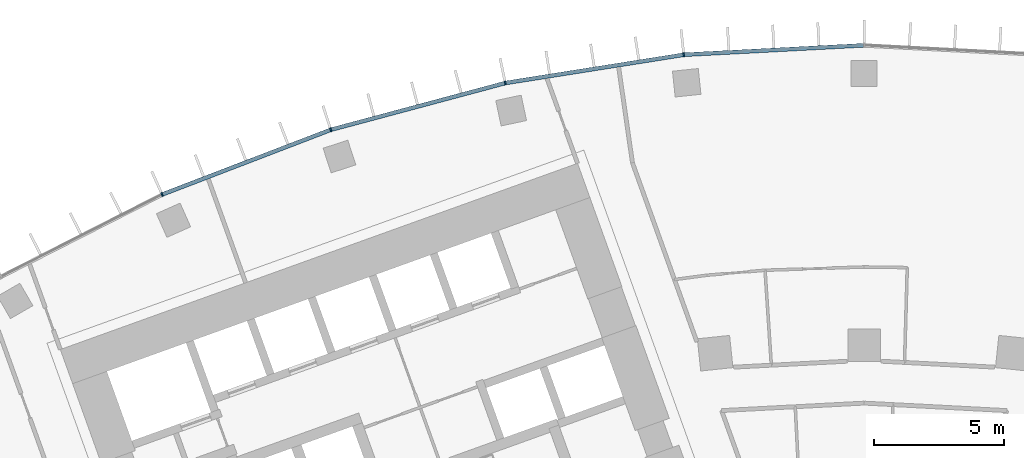
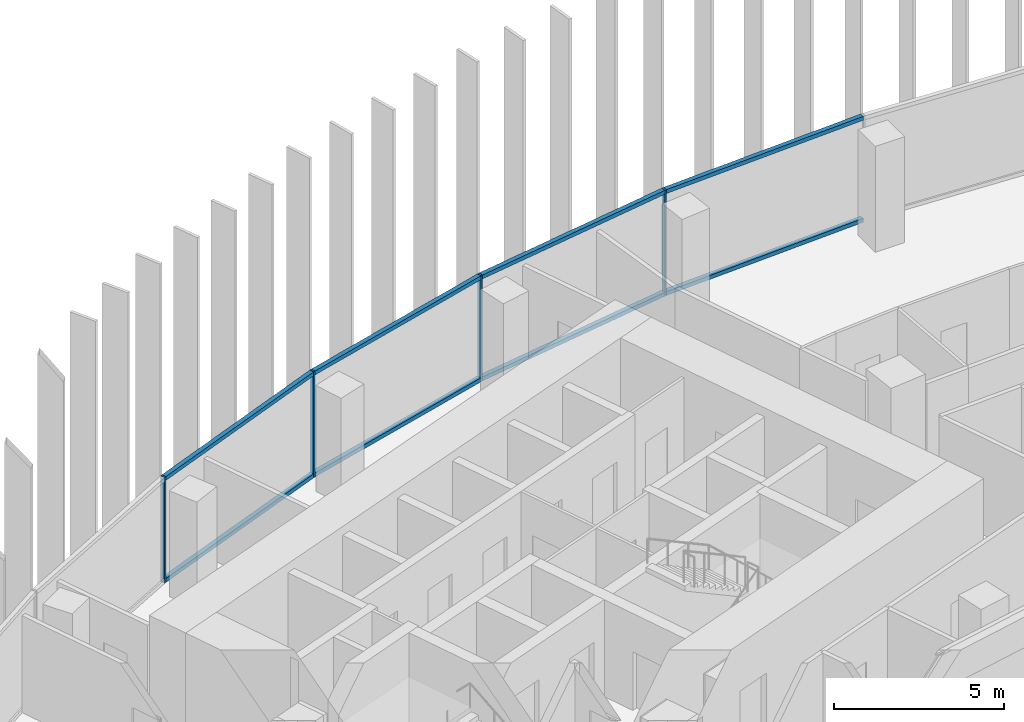
# One storey, part 7 of 23: 12 members, 1 element without a shape of its own.
"""IFC4 building model written with IfcOpenShell, lengths in metres."""

import ifcopenshell
import ifcopenshell.guid

model = None  # the IFC model being written
_history = None  # IfcOwnerHistory: only IFC2X3 demands one
_inside = {}  # id of a spatial element -> (the spatial element, [elements in it])
_under = {}  # id of a project, library or spatial element -> (it, [spatial elements below it])
_declared = {}  # id of a project -> (the project, [libraries it declares])
_typed = {}  # id of a type object -> (the type object, [elements of that type])
_made_of = {}  # id of a material, layer set ... -> (it, [elements and type objects made of it])


def new_model(schema):
    """Start an empty IFC model of exactly this schema.

    Asked for "IFC4X3", IfcOpenShell would pick the latest addendum, in which some entities
    have other attributes; the version numbers below select the first issue.
    IFC2X3 requires an IfcOwnerHistory on every rooted entity: one is made here for all.
    """
    global model, _history
    if schema == "IFC4X3":
        model = ifcopenshell.file(schema_version=(4, 3, 0, 0))
    else:
        model = ifcopenshell.file(schema=schema)
    _inside.clear()
    _under.clear()
    _declared.clear()
    _typed.clear()
    _made_of.clear()
    _history = None
    if model.schema == "IFC2X3":
        org = make("IfcOrganization", Name="unknown")
        user = make(
            "IfcPersonAndOrganization",
            ThePerson=make("IfcPerson", FamilyName="unknown"),
            TheOrganization=org,
        )
        app = make(
            "IfcApplication",
            ApplicationDeveloper=org,
            Version="unknown",
            ApplicationFullName="unknown",
            ApplicationIdentifier="unknown",
        )
        _history = make(
            "IfcOwnerHistory",
            OwningUser=user,
            OwningApplication=app,
            ChangeAction="ADDED",
            CreationDate=0,
        )
    return model


def make(cls, **values):
    """One entity of the class cls with the attributes given. An attribute that is None is left unset."""
    return model.create_entity(
        cls, **{name: value for name, value in values.items() if value is not None}
    )


def rooted(cls, **values):
    """An entity with a GlobalId (a new one), such as an element, a storey or a relation."""
    return make(cls, GlobalId=ifcopenshell.guid.new(), OwnerHistory=_history, **values)


def si_unit(unit_type, name, prefix=None):
    """IfcSIUnit, for example si_unit("LENGTHUNIT", "METRE", prefix="MILLI")."""
    return make("IfcSIUnit", UnitType=unit_type, Prefix=prefix, Name=name)


def assignment(units):
    """IfcUnitAssignment: the units of a project."""
    return None if units is None else make("IfcUnitAssignment", Units=units)


def point(xyz):
    """IfcCartesianPoint."""
    return None if xyz is None else make("IfcCartesianPoint", Coordinates=xyz)


def direction(xyz):
    """IfcDirection."""
    return None if xyz is None else make("IfcDirection", DirectionRatios=xyz)


def frame(location, z_axis=None, x_axis=None):
    """IfcAxis2Placement3D, a coordinate frame: its origin and axes. An axis left out is left unset."""
    return make(
        "IfcAxis2Placement3D",
        Location=point(location),
        Axis=direction(z_axis),
        RefDirection=direction(x_axis),
    )


def frame_2d(location, x_axis=None):
    """IfcAxis2Placement2D, a coordinate frame in the plane: its origin and x axis."""
    return make(
        "IfcAxis2Placement2D", Location=point(location), RefDirection=direction(x_axis)
    )


def origin():
    """The frame at (0, 0, 0) with its axes left unset."""
    return frame((0.0, 0.0, 0.0))


def origin_2d():
    """The frame at (0, 0) in the plane with its x axis left unset."""
    return frame_2d((0.0, 0.0))


def place(relative_to, where):
    """IfcLocalPlacement: puts the frame where relative to a parent placement (None: the world)."""
    return make(
        "IfcLocalPlacement", PlacementRelTo=relative_to, RelativePlacement=where
    )


def context(
    kind, dimensions, precision=None, world=None, true_north=None, identifier=None
):
    """IfcGeometricRepresentationContext, for example the 3D "Model" context."""
    return make(
        "IfcGeometricRepresentationContext",
        ContextIdentifier=identifier,
        ContextType=kind,
        CoordinateSpaceDimension=dimensions,
        Precision=precision,
        WorldCoordinateSystem=world,
        TrueNorth=true_north,
    )


def subcontext(parent, identifier, kind, view, scale=None):
    """IfcGeometricRepresentationSubContext, for example "Body" below "Model"."""
    return make(
        "IfcGeometricRepresentationSubContext",
        ContextIdentifier=identifier,
        ContextType=kind,
        ParentContext=parent,
        TargetScale=scale,
        TargetView=view,
    )


def project(units=None, contexts=None):
    """IfcProject with its units and contexts."""
    return rooted(
        "IfcProject",
        Name="project",
        RepresentationContexts=contexts,
        UnitsInContext=assignment(units),
    )


def spatial(cls, under=None, at=None, **own):
    """A site, building, storey or space (cls), placed at a placement, below another one or the project."""
    s = rooted(cls, ObjectPlacement=at, **own)
    if under is not None:
        _under.setdefault(under.id(), (under, []))[1].append(s)
    return s


def profile(cls, at=None, kind="AREA", **sizes):
    """A parametric profile (cls). Its sizes go by their IFC names, for example OverallWidth=200.0."""
    return make(cls, ProfileType=kind, Position=at, **sizes)


def rectangle(**sizes):
    """IfcRectangleProfileDef."""
    return profile("IfcRectangleProfileDef", **sizes)


def extrude(swept, where, along, depth):
    """IfcExtrudedAreaSolid: the profile swept, set in the frame where, extruded along a direction by depth."""
    return make(
        "IfcExtrudedAreaSolid",
        SweptArea=swept,
        Position=where,
        ExtrudedDirection=direction(along),
        Depth=depth,
    )


def shape(context_of_items, identifier, shape_type, items):
    """IfcShapeRepresentation: the items that make up one representation, for example the "Body"."""
    return make(
        "IfcShapeRepresentation",
        ContextOfItems=context_of_items,
        RepresentationIdentifier=identifier,
        RepresentationType=shape_type,
        Items=items,
    )


def material(Name=None, Category=None):
    """IfcMaterial."""
    return make("IfcMaterial", Name=Name, Category=Category)


def layer(
    of_material, thickness, ventilated=None, Name=None, Category=None, Priority=None
):
    """IfcMaterialLayer: one layer of a wall or slab, of a material (None: an air gap)."""
    return make(
        "IfcMaterialLayer",
        Material=of_material,
        LayerThickness=thickness,
        IsVentilated=ventilated,
        Name=Name,
        Category=Category,
        Priority=Priority,
    )


def layer_set(layers, Name=None):
    """IfcMaterialLayerSet."""
    return make("IfcMaterialLayerSet", MaterialLayers=layers, LayerSetName=Name)


def material_profile(
    of_material, cross_section, Name=None, Category=None, Priority=None
):
    """IfcMaterialProfile: a cross section and its material."""
    return make(
        "IfcMaterialProfile",
        Name=Name,
        Material=of_material,
        Profile=cross_section,
        Priority=Priority,
        Category=Category,
    )


def profile_set(profiles, Name=None, composite=None):
    """IfcMaterialProfileSet."""
    return make(
        "IfcMaterialProfileSet",
        Name=Name,
        MaterialProfiles=profiles,
        CompositeProfile=composite,
    )


def made_of(thing, what):
    """Note that an element or type object is made of a material, layer set ...; save() writes the relation."""
    if what is not None:
        _made_of.setdefault(what.id(), (what, []))[1].append(thing)
    return thing


def type_object(cls, material=None, **own):
    """A type object (cls), such as IfcWallType, which elements share."""
    return made_of(rooted(cls, **own), material)


def element(
    cls,
    number,
    at=None,
    inside=None,
    cuts=None,
    type_object=None,
    material=None,
    context=None,
    identifier="Body",
    shape_type=None,
    held_by="IfcProductDefinitionShape",
    body=None,
    shapes=None,
    **own,
):
    """One element of the class cls, such as IfcWall. Its Tag is "e" and its number.

    at: its placement. inside: the storey or other place that contains it. cuts: it is an
    opening in that element (IfcRelVoidsElement). A single representation is given by context,
    identifier, shape_type and body (its items); several are given by shapes. held_by: the class
    of the entity that holds the representations. save() writes the other relations.
    """
    e = rooted(cls, Tag="e%d" % number, ObjectPlacement=at, **own)
    if body is not None:
        shapes = [shape(context, identifier, shape_type, body)]
    if shapes is not None:
        e.Representation = make(held_by, Representations=shapes)
    if inside is not None:
        _inside.setdefault(inside.id(), (inside, []))[1].append(e)
    if cuts is not None:
        rooted(
            "IfcRelVoidsElement", RelatingBuildingElement=cuts, RelatedOpeningElement=e
        )
    if type_object is not None:
        _typed.setdefault(type_object.id(), (type_object, []))[1].append(e)
    return made_of(e, material)


def aggregate(whole, parts):
    """IfcRelAggregates: a whole, such as a stair, and the parts it consists of."""
    return rooted("IfcRelAggregates", RelatingObject=whole, RelatedObjects=parts)


def save(model, path):
    """Write the relations noted so far, then the file.

    IfcRelAggregates (storeys below a building ...), IfcRelContainedInSpatialStructure (elements
    in a storey), IfcRelDefinesByType, IfcRelAssociatesMaterial and IfcRelDeclares: one each for
    every whole, place, type object, material and project.
    """
    for whole, parts in _under.values():
        aggregate(whole, parts)
    for where, things in _inside.values():
        rooted(
            "IfcRelContainedInSpatialStructure",
            RelatedElements=things,
            RelatingStructure=where,
        )
    for kind, things in _typed.values():
        rooted("IfcRelDefinesByType", RelatedObjects=things, RelatingType=kind)
    for what, things in _made_of.values():
        rooted("IfcRelAssociatesMaterial", RelatedObjects=things, RelatingMaterial=what)
    for by, libraries in _declared.values():
        rooted("IfcRelDeclares", RelatingContext=by, RelatedDefinitions=libraries)
    model.write(path)


model = new_model("IFC4")

# Units and contexts
model_context = context("Model", 3, precision=1e-05, world=origin(), true_north=direction((0.0, 1.0)))
body_context = subcontext(model_context, "Body", "Model", "MODEL_VIEW")
ifc_project = project(units=[si_unit("LENGTHUNIT", "METRE"), si_unit("AREAUNIT", "SQUARE_METRE"), si_unit("VOLUMEUNIT", "CUBIC_METRE"), si_unit("PLANEANGLEUNIT", "RADIAN"), si_unit("MASSUNIT", "GRAM", prefix="KILO")], contexts=[model_context])

# Site, building, storey
site_placement = place(None, origin())
site = spatial("IfcSite", under=ifc_project, at=site_placement, CompositionType="ELEMENT")
building_placement = place(site_placement, origin())
building = spatial("IfcBuilding", under=site, at=building_placement, Name="Stone Belt Terrace Tower", CompositionType="ELEMENT")
storey_placement = place(building_placement, frame((0.0, 0.0, 166.800048828125)))
storey = spatial("IfcBuildingStorey", under=building, at=storey_placement, Name="L40", CompositionType="ELEMENT", Elevation=166.800048828125)

# Curtain wall, members
ifc_material = material(Name="Aluminium 6063-T6 anodised frame", Category="aluminium")
ifc_layer = layer(ifc_material, 0.14990234375)
ifc_layer_set = layer_set([ifc_layer], Name="CW-A unitised convex-face curtain wall")
curtain_wall_type = type_object("IfcCurtainWallType", Name="CW-A unitised convex-face curtain wall", PredefinedType="NOTDEFINED", material=ifc_layer_set)
curtain_wall_placement = place(storey_placement, origin())
curtain_wall = element("IfcCurtainWall", 1, at=curtain_wall_placement, inside=storey, type_object=curtain_wall_type, Name="CW-A convex face L40", PredefinedType="NOTDEFINED")
ifc_material_profile_1 = material_profile(ifc_material, rectangle(XDim=0.14990234375, YDim=0.06005859375, at=origin_2d()), Name="Aluminium 6063-T6 60x150")
ifc_profile_set_1 = profile_set([ifc_material_profile_1], Name="Aluminium 6063-T6 anodised frame")
member_type_1 = type_object("IfcMemberType", Name="CW-A mullion 60 x 150", PredefinedType="MULLION", material=ifc_profile_set_1)
member_1_placement = place(storey_placement, frame((-6.958984375, 66.21044921875, 0.0), z_axis=(0.0, 0.0, 1.0), x_axis=(0.104528463268, -0.994521895368, 0.0)))
member_1 = element("IfcMember", 2, at=member_1_placement, type_object=member_type_1, Name="CW-A mullion 10", PredefinedType="MULLION", context=body_context, shape_type="SweptSolid", body=[
    extrude(rectangle(XDim=0.14990234375, YDim=0.06005859375, at=origin_2d()), origin(), (0.0, 0.0, 1.0), 3.800048828125),
])
member_2_placement = place(storey_placement, frame((-13.841796875, 65.120361328125, 0.0), z_axis=(0.0, 0.0, 1.0), x_axis=(0.207911690818, -0.978147600734, 0.0)))
member_2 = element("IfcMember", 3, at=member_2_placement, type_object=member_type_1, Name="CW-A mullion 11", PredefinedType="MULLION", context=body_context, shape_type="SweptSolid", body=[
    extrude(rectangle(XDim=0.14990234375, YDim=0.06005859375, at=origin_2d()), origin(), (0.0, 0.0, 1.0), 3.800048828125),
])
member_3_placement = place(storey_placement, frame((-20.57275390625, 63.316650390625, 0.0), z_axis=(0.0, 0.0, 1.0), x_axis=(0.309016994375, -0.951056516295, 0.0)))
member_3 = element("IfcMember", 4, at=member_3_placement, type_object=member_type_1, Name="CW-A mullion 12", PredefinedType="MULLION", context=body_context, shape_type="SweptSolid", body=[
    extrude(rectangle(XDim=0.14990234375, YDim=0.06005859375, at=origin_2d()), origin(), (0.0, 0.0, 1.0), 3.800048828125),
])
member_4_placement = place(storey_placement, frame((-27.07861328125, 60.8193359375, 0.0), z_axis=(0.0, 0.0, 1.0), x_axis=(0.406736643076, -0.913545457643, 0.0)))
member_4 = element("IfcMember", 5, at=member_4_placement, type_object=member_type_1, Name="CW-A mullion 13", PredefinedType="MULLION", context=body_context, shape_type="SweptSolid", body=[
    extrude(rectangle(XDim=0.14990234375, YDim=0.06005859375, at=origin_2d()), origin(), (0.0, 0.0, 1.0), 3.800048828125),
])
ifc_material_profile_2 = material_profile(ifc_material, rectangle(XDim=0.14990234375, YDim=0.139892578125, at=origin_2d()), Name="Aluminium 6063-T6 150x140")
ifc_profile_set_2 = profile_set([ifc_material_profile_2], Name="Aluminium 6063-T6 anodised frame")
member_type_2 = type_object("IfcMemberType", Name="CW-A transom 140 x 150", PredefinedType="USERDEFINED", material=ifc_profile_set_2)
member_5_placement = place(storey_placement, frame((-0.033935546875, 66.5732421875, 0.070068359375), z_axis=(-0.998630019135, -0.052326712899, 0.0), x_axis=(0.052326712899, -0.998630019135, 0.0)))
member_5 = element("IfcMember", 6, at=member_5_placement, type_object=member_type_2, Name="CW-A transom 9.1", ObjectType="TRANSOM", PredefinedType="USERDEFINED", context=body_context, shape_type="SweptSolid", body=[
    extrude(rectangle(XDim=0.14990234375, YDim=0.139892578125, at=origin_2d()), origin(), (0.0, 0.0, 1.0), 6.900634765625),
])
member_6_placement = place(storey_placement, frame((-0.033935546875, 66.5732421875, 3.72998046875), z_axis=(-0.998630019135, -0.052326712899, 0.0), x_axis=(0.052326712899, -0.998630019135, 0.0)))
member_6 = element("IfcMember", 7, at=member_6_placement, type_object=member_type_2, Name="CW-A transom 9.2", ObjectType="TRANSOM", PredefinedType="USERDEFINED", context=body_context, shape_type="SweptSolid", body=[
    extrude(rectangle(XDim=0.14990234375, YDim=0.139892578125, at=origin_2d()), origin(), (0.0, 0.0, 1.0), 6.900634765625),
])
member_7_placement = place(storey_placement, frame((-6.992431640625, 66.205078125, 0.070068359375), z_axis=(-0.987687120531, -0.156442168027, 0.0), x_axis=(0.156442168027, -0.987687120531, 0.0)))
member_7 = element("IfcMember", 8, at=member_7_placement, type_object=member_type_2, Name="CW-A transom 10.1", ObjectType="TRANSOM", PredefinedType="USERDEFINED", context=body_context, shape_type="SweptSolid", body=[
    extrude(rectangle(XDim=0.14990234375, YDim=0.139892578125, at=origin_2d()), origin(), (0.0, 0.0, 1.0), 6.90087890625),
])
member_8_placement = place(storey_placement, frame((-6.992431640625, 66.205078125, 3.72998046875), z_axis=(-0.987687120531, -0.156442168027, 0.0), x_axis=(0.156442168027, -0.987687120531, 0.0)))
member_8 = element("IfcMember", 9, at=member_8_placement, type_object=member_type_2, Name="CW-A transom 10.2", ObjectType="TRANSOM", PredefinedType="USERDEFINED", context=body_context, shape_type="SweptSolid", body=[
    extrude(rectangle(XDim=0.14990234375, YDim=0.139892578125, at=origin_2d()), origin(), (0.0, 0.0, 1.0), 6.90087890625),
])
member_9_placement = place(storey_placement, frame((-13.87451171875, 65.111572265625, 0.070068359375), z_axis=(-0.965921835863, -0.258833937117, 0.0), x_axis=(0.258833937117, -0.965921835863, 0.0)))
member_9 = element("IfcMember", 10, at=member_9_placement, type_object=member_type_2, Name="CW-A transom 11.1", ObjectType="TRANSOM", PredefinedType="USERDEFINED", context=body_context, shape_type="SweptSolid", body=[
    extrude(rectangle(XDim=0.14990234375, YDim=0.139892578125, at=origin_2d()), origin(), (0.0, 0.0, 1.0), 6.900634765625),
])
member_10_placement = place(storey_placement, frame((-13.87451171875, 65.111572265625, 3.72998046875), z_axis=(-0.965921835863, -0.258833937117, 0.0), x_axis=(0.258833937117, -0.965921835863, 0.0)))
member_10 = element("IfcMember", 11, at=member_10_placement, type_object=member_type_2, Name="CW-A transom 11.2", ObjectType="TRANSOM", PredefinedType="USERDEFINED", context=body_context, shape_type="SweptSolid", body=[
    extrude(rectangle(XDim=0.14990234375, YDim=0.139892578125, at=origin_2d()), origin(), (0.0, 0.0, 1.0), 6.900634765625),
])
member_11_placement = place(storey_placement, frame((-20.6044921875, 63.304443359375, 0.070068359375), z_axis=(-0.933585210269, -0.358355487146, 0.0), x_axis=(0.358355487146, -0.933585210269, 0.0)))
member_11 = element("IfcMember", 12, at=member_11_placement, type_object=member_type_2, Name="CW-A transom 12.1", ObjectType="TRANSOM", PredefinedType="USERDEFINED", context=body_context, shape_type="SweptSolid", body=[
    extrude(rectangle(XDim=0.14990234375, YDim=0.139892578125, at=origin_2d()), origin(), (0.0, 0.0, 1.0), 6.900634765625),
])
member_12_placement = place(storey_placement, frame((-20.6044921875, 63.304443359375, 3.72998046875), z_axis=(-0.933585210269, -0.358355487146, 0.0), x_axis=(0.358355487146, -0.933585210269, 0.0)))
member_12 = element("IfcMember", 13, at=member_12_placement, type_object=member_type_2, Name="CW-A transom 12.2", ObjectType="TRANSOM", PredefinedType="USERDEFINED", context=body_context, shape_type="SweptSolid", body=[
    extrude(rectangle(XDim=0.14990234375, YDim=0.139892578125, at=origin_2d()), origin(), (0.0, 0.0, 1.0), 6.900634765625),
])
aggregate(curtain_wall, [member_1, member_2, member_3, member_4, member_5, member_6, member_7, member_8, member_9, member_10, member_11, member_12])

save(model, "model.ifc")
